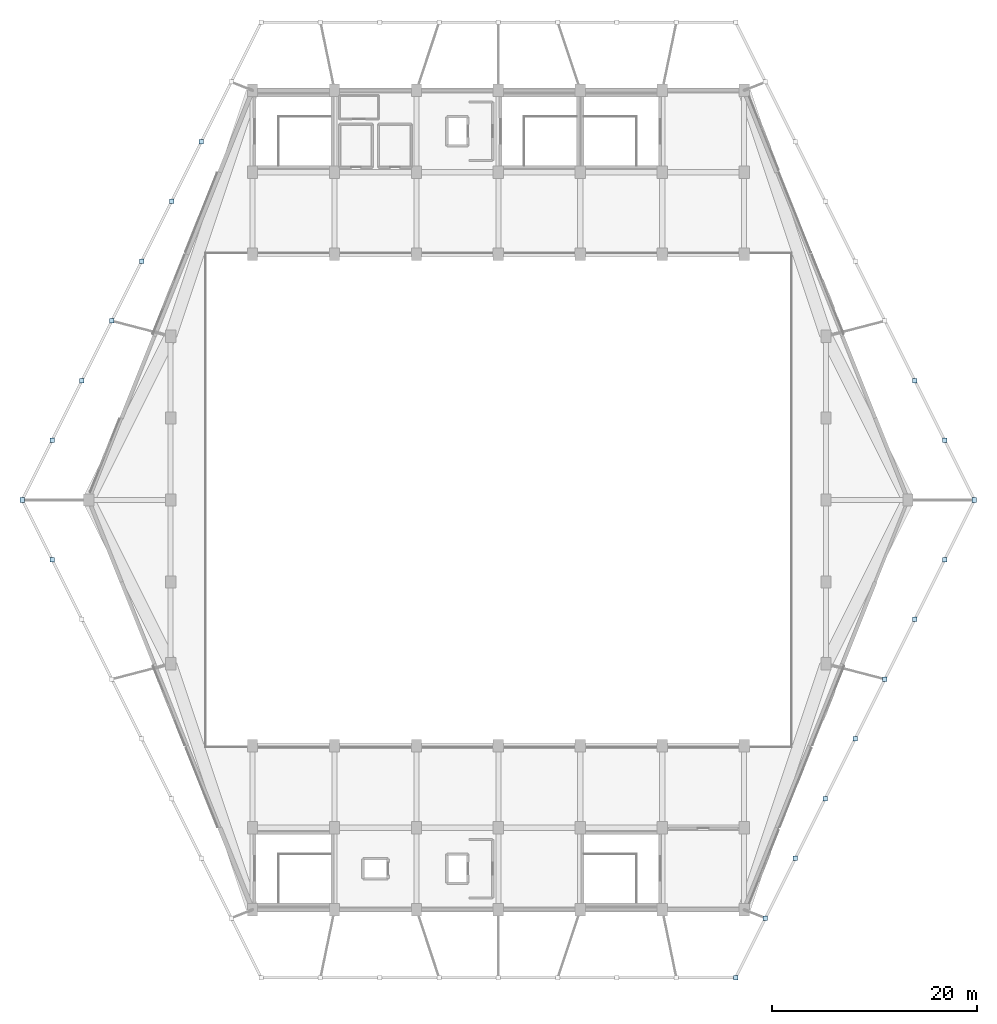
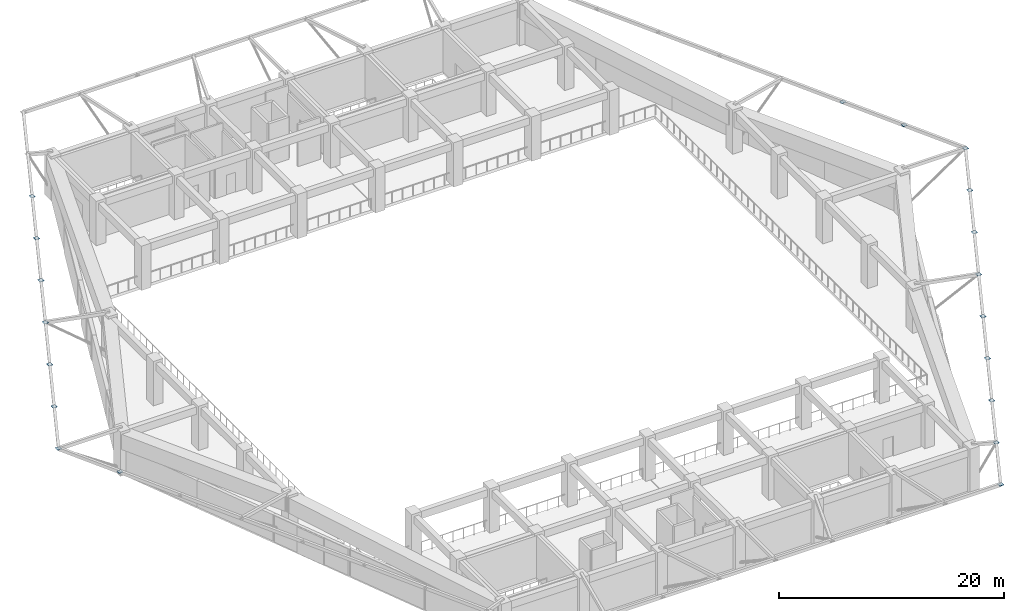
# One storey, part 3 of 9: 19 plates.
"""IFC4 building model written with IfcOpenShell, lengths in metres."""

from ifc_helpers import new_model, si_unit, direction, frame, origin, origin_2d, place, context, subcontext, project, spatial, rectangle, extrude, material, layer, layer_set, type_object, element, save


model = new_model("IFC4")

# Units and contexts
model_context = context("Model", 3, precision=1e-05, world=origin(), true_north=direction((0.0, 1.0)))
body_context = subcontext(model_context, "Body", "Model", "MODEL_VIEW")
ifc_project = project(units=[si_unit("LENGTHUNIT", "METRE"), si_unit("AREAUNIT", "SQUARE_METRE"), si_unit("VOLUMEUNIT", "CUBIC_METRE"), si_unit("PLANEANGLEUNIT", "RADIAN"), si_unit("MASSUNIT", "GRAM", prefix="KILO")], contexts=[model_context])

# Site, building, storey
site_placement = place(None, origin())
site = spatial("IfcSite", under=ifc_project, at=site_placement, CompositionType="ELEMENT")
building_placement = place(site_placement, origin())
building = spatial("IfcBuilding", under=site, at=building_placement, Name="Tazarka Park Arena", CompositionType="ELEMENT")
storey_placement = place(building_placement, frame((0.0, 0.0, 24.60009765625)))
storey = spatial("IfcBuildingStorey", under=building, at=storey_placement, Name="L05", CompositionType="ELEMENT", Elevation=24.60009765625)

# Plates
ifc_material = material(Name="Steel S460", Category="steel")
ifc_layer = layer(ifc_material, 0.028076171875, Name="Steel S460")
ifc_layer_set = layer_set([ifc_layer], Name="Steel S460")
plate_type = type_object("IfcPlateType", Name="PLT-PL-13", PredefinedType="USERDEFINED", material=ifc_layer_set)
for number, where, z_axis, x_axis, name in (
    (1, (111.164794921875, 17.351318359375, 4.765625), (0.0, 0.0, 1.0), (1.0, 0.0, 0.0), "GMP-T-08"),
    (2, (114.080322265625, 23.1826171875, 4.765625), (0.0, 0.0, 1.0), (1.0, 0.0, 0.0), "GMP-T-09"),
    (3, (116.995849609375, 29.013671875, 4.765625), (0.0, 0.0, 1.0), (1.0, 0.0, 0.0), "GMP-T-10"),
    (4, (119.911376953125, 34.844482421875, 4.765625), (0.0, 0.0, 1.0), (1.0, 0.0, 0.0), "GMP-T-11"),
    (5, (122.826904296875, 40.67578125, 4.765625), (0.0, 0.0, 1.0), (1.0, 0.0, 0.0), "GMP-T-12"),
    (6, (125.742431640625, 46.5068359375, 4.765625), (0.0, 0.0, 1.0), (1.0, 0.0, 0.0), "GMP-T-13"),
    (7, (128.657958984375, 52.337890625, 4.765625), (0.0, 0.0, 1.0), (1.0, 0.0, 0.0), "GMP-T-14"),
    (8, (131.573486328125, 58.1689453125, 4.765625), (0.0, 0.0, 1.0), (1.0, 0.0, 0.0), "GMP-T-15"),
    (9, (134.489013671875, 64.0, 4.765625), (0.0, 0.0, 1.0), (1.0, 0.0, 0.0), "GMP-T-16"),
    (10, (131.573486328125, 69.8310546875, 4.765625), (0.0, 0.0, 1.0), (1.0, 0.0, 0.0), "GMP-T-17"),
    (11, (128.657958984375, 75.662109375, 4.765625), (0.0, 0.0, 1.0), (1.0, 0.0, 0.0), "GMP-T-18"),
    (12, (59.004150390625, 98.986572265625, 4.765625), (0.0, 0.0, 1.0), (1.0, 0.0, 0.0), "GMP-T-34"),
    (13, (56.088623046875, 93.155517578125, 4.765625), (0.0, 0.0, 1.0), (1.0, 0.0, 0.0), "GMP-T-35"),
    (14, (53.173095703125, 87.32421875, 4.765625), (0.0, 0.0, 1.0), (1.0, 0.0, 0.0), "GMP-T-36"),
    (15, (50.257568359375, 81.4931640625, 4.765625), (0.0, 0.0, 1.0), (1.0, 0.0, 0.0), "GMP-T-37"),
    (16, (47.342041015625, 75.662109375, 4.765625), (0.0, 0.0, 1.0), (1.0, 0.0, 0.0), "GMP-T-38"),
    (17, (44.426513671875, 69.8310546875, 4.765625), (0.0, 0.0, 1.0), (1.0, 0.0, 0.0), "GMP-T-39"),
    (18, (41.510986328125, 64.0, 4.765625), (0.0, 0.0, 1.0), (1.0, 0.0, 0.0), "GMP-T-40"),
    (19, (44.426513671875, 58.1689453125, 4.765625), (0.0, 0.0, 1.0), (1.0, 0.0, 0.0), "GMP-T-41"),
):
    element("IfcPlate", number, at=place(storey_placement, frame(where, z_axis=z_axis, x_axis=x_axis)), inside=storey, type_object=plate_type, Name=name, ObjectType="STIFFENER", PredefinedType="USERDEFINED", context=body_context, shape_type="SweptSolid", body=[
        extrude(rectangle(XDim=0.43994140625, YDim=0.43994140625, at=origin_2d()), origin(), (0.0, 0.0, 1.0), 0.028076171875),
    ])

save(model, "model.ifc")
